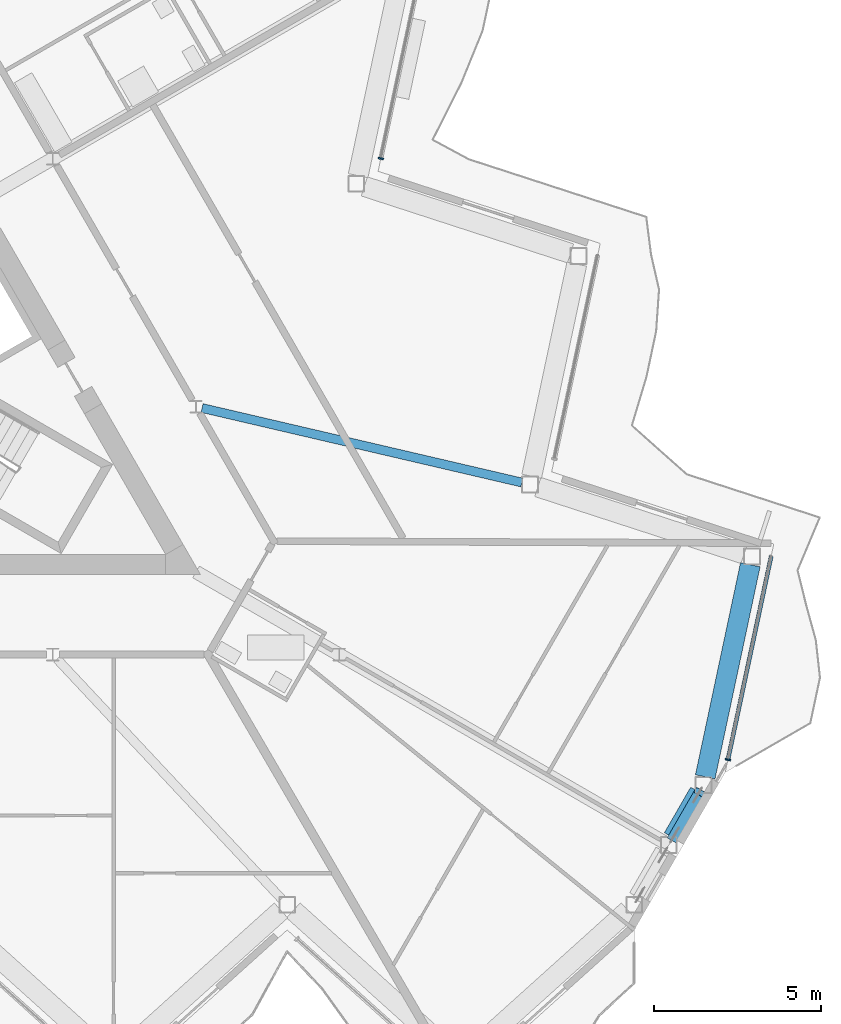
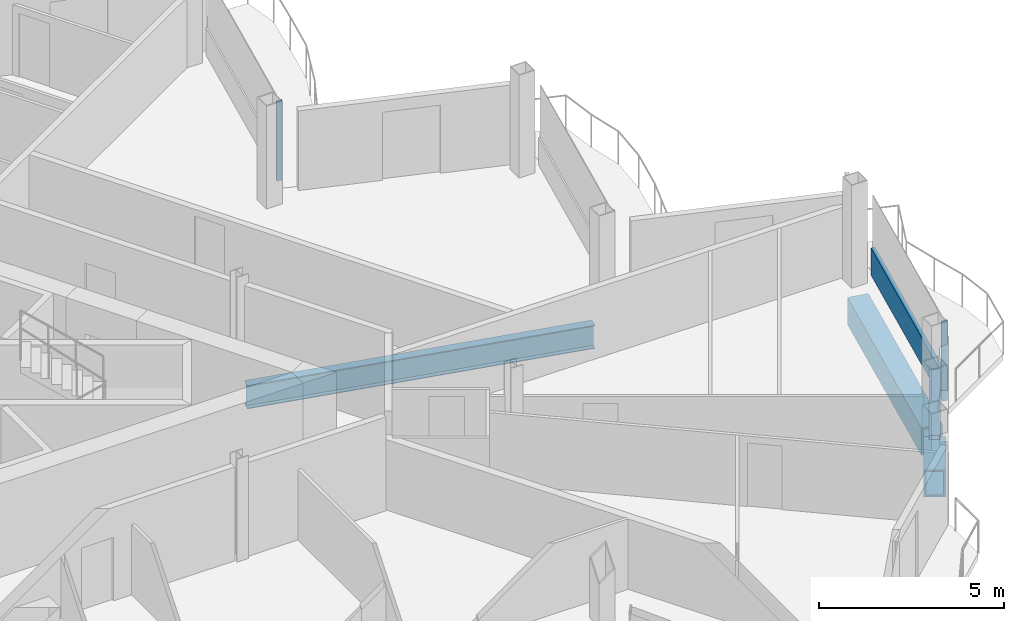
# One storey, part 8 of 27: 4 members, 3 beams, 2 elements without a shape of their own.
"""IFC4 building model written with IfcOpenShell, lengths in metres."""

from ifc_helpers import new_model, si_unit, direction, frame, origin, origin_2d, place, context, subcontext, project, spatial, rectangle, hollow_rectangle, i_section, extrude, material, layer, layer_set, material_profile, profile_set, type_object, element, aggregate, save


model = new_model("IFC4")

# Units and contexts
model_context = context("Model", 3, precision=1e-05, world=origin(), true_north=direction((0.0, 1.0)))
body_context = subcontext(model_context, "Body", "Model", "MODEL_VIEW")
ifc_project = project(units=[si_unit("LENGTHUNIT", "METRE"), si_unit("AREAUNIT", "SQUARE_METRE"), si_unit("VOLUMEUNIT", "CUBIC_METRE"), si_unit("PLANEANGLEUNIT", "RADIAN"), si_unit("MASSUNIT", "GRAM", prefix="KILO")], contexts=[model_context])

# Site, building, storey
site_placement = place(None, origin())
site = spatial("IfcSite", under=ifc_project, at=site_placement, CompositionType="ELEMENT")
building_placement = place(site_placement, origin())
building = spatial("IfcBuilding", under=site, at=building_placement, Name="Cormorant Prow Tower", CompositionType="ELEMENT")
storey_placement = place(building_placement, frame((0.0, 0.0, 361.0)))
storey = spatial("IfcBuildingStorey", under=building, at=storey_placement, Name="L80", CompositionType="ELEMENT", Elevation=361.0)

# Beams
ifc_material_1 = material(Name="Structural steel ASTM A572 Gr 50", Category="steel")
ifc_material_profile_1 = material_profile(ifc_material_1, hollow_rectangle(XDim=0.60009765625, YDim=0.89990234375, WallThickness=0.06005859375, at=origin_2d()), Name="Box 900x600x60")
ifc_profile_set_1 = profile_set([ifc_material_profile_1], Name="Structural steel ASTM A572 Gr 50")
beam_type_1 = type_object("IfcBeamType", Name="Belt truss top chord 900x600x60", PredefinedType="BEAM", material=ifc_profile_set_1)
beam_1_placement = place(storey_placement, frame((27.161865234375, -15.393310546875, -0.75), z_axis=(0.499959680857, 0.866048680801, 0.0), x_axis=(-0.866048680801, 0.499959680857, 0.0)))
element("IfcBeam", 1, at=beam_1_placement, inside=storey, type_object=beam_type_1, Name="Belt truss top chord TC2 ESE01-ENE00 L80", PredefinedType="BEAM", context=body_context, shape_type="SweptSolid", body=[
    extrude(hollow_rectangle(XDim=0.60009765625, YDim=0.89990234375, WallThickness=0.06005859375, at=origin_2d()), origin(), (0.0, 0.0, 1.0), 1.573974609375),
])
beam_2_placement = place(storey_placement, frame((28.125732421875, -13.5693359375, -0.75), z_axis=(0.207901897373, 0.978149682344, 0.0), x_axis=(-0.978149682344, 0.207901897373, 0.0)))
element("IfcBeam", 2, at=beam_2_placement, inside=storey, type_object=beam_type_1, Name="Belt truss top chord TC2 ENE00-ENE01 L80", PredefinedType="BEAM", context=body_context, shape_type="SweptSolid", body=[
    extrude(hollow_rectangle(XDim=0.60009765625, YDim=0.89990234375, WallThickness=0.06005859375, at=origin_2d()), origin(), (0.0, 0.0, 1.0), 6.49755859375),
])

# Member
ifc_material_2 = material(Name="Structural steel ASTM A500 Gr C", Category="steel")
ifc_material_profile_2 = material_profile(ifc_material_2, hollow_rectangle(XDim=0.3046875, YDim=0.3046875, WallThickness=0.01171875, at=origin_2d()), Name="HSS12x12x1/2")
ifc_profile_set_2 = profile_set([ifc_material_profile_2], Name="Structural steel ASTM A500 Gr C")
member_type_1 = type_object("IfcMemberType", Name="Chamfer brace HSS12x12x1/2", PredefinedType="BRACE", material=ifc_profile_set_2)
member_1_placement = place(storey_placement, frame((27.160400390625, -15.39599609375, 0.7705078125), z_axis=(0.411230183851, 0.712282194217, 0.568809117095), x_axis=(-0.866028632512, 0.499994407638, 0.0)))
element("IfcMember", 3, at=member_1_placement, inside=storey, type_object=member_type_1, Name="Chamfer brace BR3 at ESE01 L80", PredefinedType="BRACE", context=body_context, shape_type="SweptSolid", body=[
    extrude(hollow_rectangle(XDim=0.3046875, YDim=0.3046875, WallThickness=0.01171875, at=origin_2d()), origin(), (0.0, 0.0, 1.0), 1.921142578125),
])

# Beam
ifc_material_3 = material(Name="Structural steel ASTM A992 Gr 50", Category="steel")
ifc_material_profile_3 = material_profile(ifc_material_3, i_section(OverallWidth=0.267822265625, OverallDepth=0.77001953125, WebThickness=0.015625, FlangeThickness=0.025390625, at=origin_2d()), Name="W30x132")
ifc_profile_set_3 = profile_set([ifc_material_profile_3], Name="Structural steel ASTM A992 Gr 50")
beam_type_2 = type_object("IfcBeamType", Name="Radial floor beam W30x132", PredefinedType="BEAM", material=ifc_profile_set_3)
beam_3_placement = place(storey_placement, frame((13.0498046875, -2.518798828125, -0.68505859375), z_axis=(0.973926084128, -0.226865560752, 0.0), x_axis=(0.226865560752, 0.973926084128, 0.0)))
element("IfcBeam", 4, at=beam_3_placement, inside=storey, type_object=beam_type_2, Name="Radial floor beam FB3 10 L80", PredefinedType="BEAM", context=body_context, shape_type="SweptSolid", body=[
    extrude(i_section(OverallWidth=0.267822265625, OverallDepth=0.77001953125, WebThickness=0.015625, FlangeThickness=0.025390625, at=origin_2d()), origin(), (0.0, 0.0, 1.0), 9.837158203125),
])

# Curtain wall, member
ifc_material_4 = material(Name="Aluminium 6063-T6", Category="aluminium")
ifc_layer = layer(ifc_material_4, 0.159912109375)
ifc_layer_set = layer_set([ifc_layer], Name="Aluminium 6063-T6")
curtain_wall_type = type_object("IfcCurtainWallType", Name="Residential unitised curtain wall 160", PredefinedType="NOTDEFINED", material=ifc_layer_set)
curtain_wall_1_placement = place(storey_placement, origin())
curtain_wall_1 = element("IfcCurtainWall", 5, at=curtain_wall_1_placement, inside=storey, type_object=curtain_wall_type, Name="Residential curtain wall ENE00", PredefinedType="NOTDEFINED")
ifc_material_5 = material(Name="Aluminium 6063-T6", Category="aluminium")
ifc_material_profile_4 = material_profile(ifc_material_5, rectangle(XDim=0.159912109375, YDim=0.050048828125, at=origin_2d()), Name="Residential mullion 50x160")
ifc_profile_set_4 = profile_set([ifc_material_profile_4], Name="Aluminium 6063-T6")
member_type_2 = type_object("IfcMemberType", Name="Residential mullion 50x160", PredefinedType="MULLION", material=ifc_profile_set_4)
member_2_placement = place(storey_placement, frame((28.805908203125, -13.055419921875, 0.0), z_axis=(0.0, 0.0, 1.0), x_axis=(-0.978147586701, 0.207911756835, 0.0)))
member_2 = element("IfcMember", 6, at=member_2_placement, type_object=member_type_2, Name="Residential mullion ENE00", PredefinedType="MULLION", context=body_context, shape_type="SweptSolid", body=[
    extrude(rectangle(XDim=0.159912109375, YDim=0.050048828125, at=origin_2d()), origin(), (0.0, 0.0, 1.0), 2.6337890625),
])

curtain_wall_2_placement = place(storey_placement, origin())
curtain_wall_2 = element("IfcCurtainWall", 7, at=curtain_wall_2_placement, inside=storey, type_object=curtain_wall_type, Name="Residential curtain wall ENE04", PredefinedType="NOTDEFINED")
member_3_placement = place(storey_placement, frame((18.406005859375, 4.957763671875, 0.0), z_axis=(0.0, 0.0, 1.0), x_axis=(-0.978147586701, 0.207911756835, 0.0)))
member_3 = element("IfcMember", 8, at=member_3_placement, type_object=member_type_2, Name="Residential mullion ENE04", PredefinedType="MULLION", context=body_context, shape_type="SweptSolid", body=[
    extrude(rectangle(XDim=0.159912109375, YDim=0.050048828125, at=origin_2d()), origin(), (0.0, 0.0, 1.0), 2.6337890625),
])
aggregate(curtain_wall_2, [member_3])

# Member
ifc_material_6 = material(Name="Terracotta", Category="masonry")
ifc_material_profile_5 = material_profile(ifc_material_6, rectangle(XDim=0.1201171875, YDim=0.89990234375, at=origin_2d()), Name="Residential terracotta spandrel rail 120x900")
ifc_profile_set_5 = profile_set([ifc_material_profile_5], Name="Terracotta")
member_type_3 = type_object("IfcMemberType", Name="Residential terracotta spandrel rail 120x900", PredefinedType="USERDEFINED", material=ifc_profile_set_5)
member_4_placement = place(storey_placement, frame((28.811279296875, -13.031005859375, 0.449951171875), z_axis=(0.207916541247, 0.978146569731, 0.0), x_axis=(-0.978146569731, 0.207916541247, 0.0)))
member_4 = element("IfcMember", 9, at=member_4_placement, type_object=member_type_3, Name="Residential spandrel rail ENE00", ObjectType="TRANSOM", PredefinedType="USERDEFINED", context=body_context, shape_type="SweptSolid", body=[
    extrude(rectangle(XDim=0.1201171875, YDim=0.89990234375, at=origin_2d()), origin(), (0.0, 0.0, 1.0), 6.215087890625),
])

aggregate(curtain_wall_1, [member_2, member_4])

save(model, "model.ifc")
